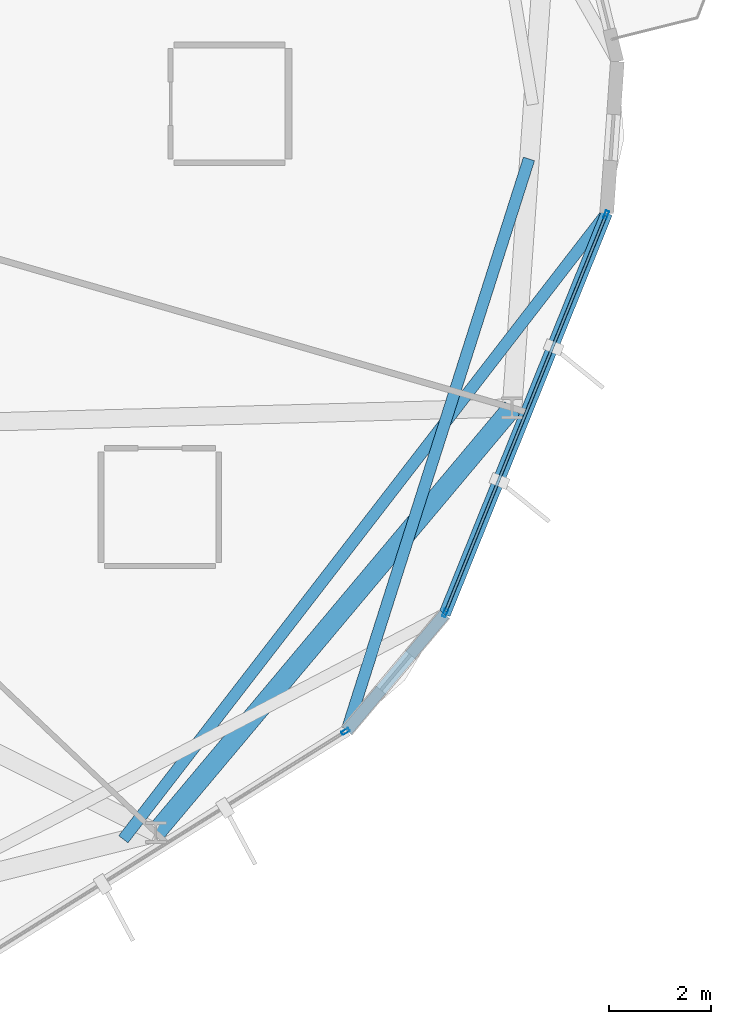
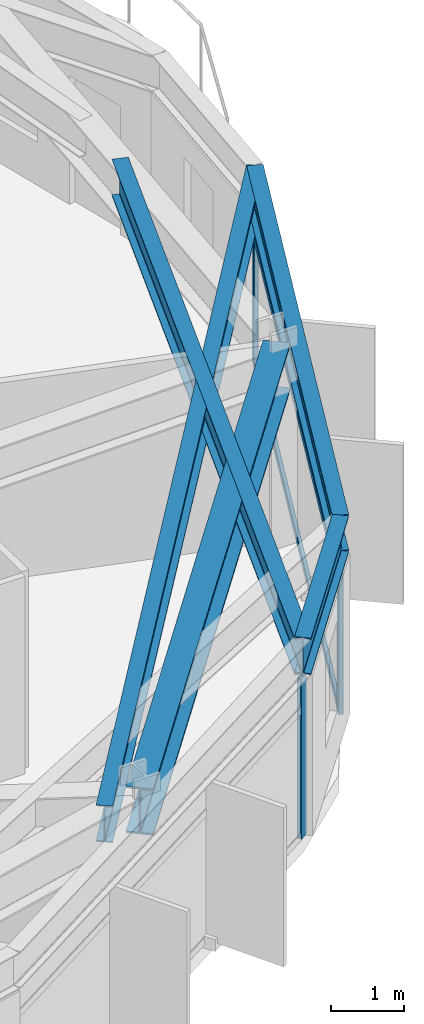
# One storey, part 9 of 22: 6 members, 5 beams, 2 elements without a shape of their own.
"""IFC4 building model written with IfcOpenShell, lengths in metres."""

import ifcopenshell
import ifcopenshell.guid

model = None  # the IFC model being written
_history = None  # IfcOwnerHistory: only IFC2X3 demands one
_inside = {}  # id of a spatial element -> (the spatial element, [elements in it])
_under = {}  # id of a project, library or spatial element -> (it, [spatial elements below it])
_declared = {}  # id of a project -> (the project, [libraries it declares])
_typed = {}  # id of a type object -> (the type object, [elements of that type])
_made_of = {}  # id of a material, layer set ... -> (it, [elements and type objects made of it])


def new_model(schema):
    """Start an empty IFC model of exactly this schema.

    Asked for "IFC4X3", IfcOpenShell would pick the latest addendum, in which some entities
    have other attributes; the version numbers below select the first issue.
    IFC2X3 requires an IfcOwnerHistory on every rooted entity: one is made here for all.
    """
    global model, _history
    if schema == "IFC4X3":
        model = ifcopenshell.file(schema_version=(4, 3, 0, 0))
    else:
        model = ifcopenshell.file(schema=schema)
    _inside.clear()
    _under.clear()
    _declared.clear()
    _typed.clear()
    _made_of.clear()
    _history = None
    if model.schema == "IFC2X3":
        org = make("IfcOrganization", Name="unknown")
        user = make(
            "IfcPersonAndOrganization",
            ThePerson=make("IfcPerson", FamilyName="unknown"),
            TheOrganization=org,
        )
        app = make(
            "IfcApplication",
            ApplicationDeveloper=org,
            Version="unknown",
            ApplicationFullName="unknown",
            ApplicationIdentifier="unknown",
        )
        _history = make(
            "IfcOwnerHistory",
            OwningUser=user,
            OwningApplication=app,
            ChangeAction="ADDED",
            CreationDate=0,
        )
    return model


def make(cls, **values):
    """One entity of the class cls with the attributes given. An attribute that is None is left unset."""
    return model.create_entity(
        cls, **{name: value for name, value in values.items() if value is not None}
    )


def rooted(cls, **values):
    """An entity with a GlobalId (a new one), such as an element, a storey or a relation."""
    return make(cls, GlobalId=ifcopenshell.guid.new(), OwnerHistory=_history, **values)


def si_unit(unit_type, name, prefix=None):
    """IfcSIUnit, for example si_unit("LENGTHUNIT", "METRE", prefix="MILLI")."""
    return make("IfcSIUnit", UnitType=unit_type, Prefix=prefix, Name=name)


def assignment(units):
    """IfcUnitAssignment: the units of a project."""
    return None if units is None else make("IfcUnitAssignment", Units=units)


def point(xyz):
    """IfcCartesianPoint."""
    return None if xyz is None else make("IfcCartesianPoint", Coordinates=xyz)


def direction(xyz):
    """IfcDirection."""
    return None if xyz is None else make("IfcDirection", DirectionRatios=xyz)


def frame(location, z_axis=None, x_axis=None):
    """IfcAxis2Placement3D, a coordinate frame: its origin and axes. An axis left out is left unset."""
    return make(
        "IfcAxis2Placement3D",
        Location=point(location),
        Axis=direction(z_axis),
        RefDirection=direction(x_axis),
    )


def frame_2d(location, x_axis=None):
    """IfcAxis2Placement2D, a coordinate frame in the plane: its origin and x axis."""
    return make(
        "IfcAxis2Placement2D", Location=point(location), RefDirection=direction(x_axis)
    )


def origin():
    """The frame at (0, 0, 0) with its axes left unset."""
    return frame((0.0, 0.0, 0.0))


def origin_2d():
    """The frame at (0, 0) in the plane with its x axis left unset."""
    return frame_2d((0.0, 0.0))


def place(relative_to, where):
    """IfcLocalPlacement: puts the frame where relative to a parent placement (None: the world)."""
    return make(
        "IfcLocalPlacement", PlacementRelTo=relative_to, RelativePlacement=where
    )


def context(
    kind, dimensions, precision=None, world=None, true_north=None, identifier=None
):
    """IfcGeometricRepresentationContext, for example the 3D "Model" context."""
    return make(
        "IfcGeometricRepresentationContext",
        ContextIdentifier=identifier,
        ContextType=kind,
        CoordinateSpaceDimension=dimensions,
        Precision=precision,
        WorldCoordinateSystem=world,
        TrueNorth=true_north,
    )


def subcontext(parent, identifier, kind, view, scale=None):
    """IfcGeometricRepresentationSubContext, for example "Body" below "Model"."""
    return make(
        "IfcGeometricRepresentationSubContext",
        ContextIdentifier=identifier,
        ContextType=kind,
        ParentContext=parent,
        TargetScale=scale,
        TargetView=view,
    )


def project(units=None, contexts=None):
    """IfcProject with its units and contexts."""
    return rooted(
        "IfcProject",
        Name="project",
        RepresentationContexts=contexts,
        UnitsInContext=assignment(units),
    )


def spatial(cls, under=None, at=None, **own):
    """A site, building, storey or space (cls), placed at a placement, below another one or the project."""
    s = rooted(cls, ObjectPlacement=at, **own)
    if under is not None:
        _under.setdefault(under.id(), (under, []))[1].append(s)
    return s


def profile(cls, at=None, kind="AREA", **sizes):
    """A parametric profile (cls). Its sizes go by their IFC names, for example OverallWidth=200.0."""
    return make(cls, ProfileType=kind, Position=at, **sizes)


def hollow_rectangle(**sizes):
    """IfcRectangleHollowProfileDef."""
    return profile("IfcRectangleHollowProfileDef", **sizes)


def i_section(**sizes):
    """IfcIShapeProfileDef."""
    return profile("IfcIShapeProfileDef", **sizes)


def extrude(swept, where, along, depth):
    """IfcExtrudedAreaSolid: the profile swept, set in the frame where, extruded along a direction by depth."""
    return make(
        "IfcExtrudedAreaSolid",
        SweptArea=swept,
        Position=where,
        ExtrudedDirection=direction(along),
        Depth=depth,
    )


def shape(context_of_items, identifier, shape_type, items):
    """IfcShapeRepresentation: the items that make up one representation, for example the "Body"."""
    return make(
        "IfcShapeRepresentation",
        ContextOfItems=context_of_items,
        RepresentationIdentifier=identifier,
        RepresentationType=shape_type,
        Items=items,
    )


def material(Name=None, Category=None):
    """IfcMaterial."""
    return make("IfcMaterial", Name=Name, Category=Category)


def layer(
    of_material, thickness, ventilated=None, Name=None, Category=None, Priority=None
):
    """IfcMaterialLayer: one layer of a wall or slab, of a material (None: an air gap)."""
    return make(
        "IfcMaterialLayer",
        Material=of_material,
        LayerThickness=thickness,
        IsVentilated=ventilated,
        Name=Name,
        Category=Category,
        Priority=Priority,
    )


def layer_set(layers, Name=None):
    """IfcMaterialLayerSet."""
    return make("IfcMaterialLayerSet", MaterialLayers=layers, LayerSetName=Name)


def material_profile(
    of_material, cross_section, Name=None, Category=None, Priority=None
):
    """IfcMaterialProfile: a cross section and its material."""
    return make(
        "IfcMaterialProfile",
        Name=Name,
        Material=of_material,
        Profile=cross_section,
        Priority=Priority,
        Category=Category,
    )


def profile_set(profiles, Name=None, composite=None):
    """IfcMaterialProfileSet."""
    return make(
        "IfcMaterialProfileSet",
        Name=Name,
        MaterialProfiles=profiles,
        CompositeProfile=composite,
    )


def made_of(thing, what):
    """Note that an element or type object is made of a material, layer set ...; save() writes the relation."""
    if what is not None:
        _made_of.setdefault(what.id(), (what, []))[1].append(thing)
    return thing


def type_object(cls, material=None, **own):
    """A type object (cls), such as IfcWallType, which elements share."""
    return made_of(rooted(cls, **own), material)


def element(
    cls,
    number,
    at=None,
    inside=None,
    cuts=None,
    type_object=None,
    material=None,
    context=None,
    identifier="Body",
    shape_type=None,
    held_by="IfcProductDefinitionShape",
    body=None,
    shapes=None,
    **own,
):
    """One element of the class cls, such as IfcWall. Its Tag is "e" and its number.

    at: its placement. inside: the storey or other place that contains it. cuts: it is an
    opening in that element (IfcRelVoidsElement). A single representation is given by context,
    identifier, shape_type and body (its items); several are given by shapes. held_by: the class
    of the entity that holds the representations. save() writes the other relations.
    """
    e = rooted(cls, Tag="e%d" % number, ObjectPlacement=at, **own)
    if body is not None:
        shapes = [shape(context, identifier, shape_type, body)]
    if shapes is not None:
        e.Representation = make(held_by, Representations=shapes)
    if inside is not None:
        _inside.setdefault(inside.id(), (inside, []))[1].append(e)
    if cuts is not None:
        rooted(
            "IfcRelVoidsElement", RelatingBuildingElement=cuts, RelatedOpeningElement=e
        )
    if type_object is not None:
        _typed.setdefault(type_object.id(), (type_object, []))[1].append(e)
    return made_of(e, material)


def aggregate(whole, parts):
    """IfcRelAggregates: a whole, such as a stair, and the parts it consists of."""
    return rooted("IfcRelAggregates", RelatingObject=whole, RelatedObjects=parts)


def save(model, path):
    """Write the relations noted so far, then the file.

    IfcRelAggregates (storeys below a building ...), IfcRelContainedInSpatialStructure (elements
    in a storey), IfcRelDefinesByType, IfcRelAssociatesMaterial and IfcRelDeclares: one each for
    every whole, place, type object, material and project.
    """
    for whole, parts in _under.values():
        aggregate(whole, parts)
    for where, things in _inside.values():
        rooted(
            "IfcRelContainedInSpatialStructure",
            RelatedElements=things,
            RelatingStructure=where,
        )
    for kind, things in _typed.values():
        rooted("IfcRelDefinesByType", RelatedObjects=things, RelatingType=kind)
    for what, things in _made_of.values():
        rooted("IfcRelAssociatesMaterial", RelatedObjects=things, RelatingMaterial=what)
    for by, libraries in _declared.values():
        rooted("IfcRelDeclares", RelatingContext=by, RelatedDefinitions=libraries)
    model.write(path)


model = new_model("IFC4")

# Units and contexts
model_context = context("Model", 3, precision=1e-05, world=origin(), true_north=direction((0.0, 1.0)))
body_context = subcontext(model_context, "Body", "Model", "MODEL_VIEW")
ifc_project = project(units=[si_unit("LENGTHUNIT", "METRE"), si_unit("AREAUNIT", "SQUARE_METRE"), si_unit("VOLUMEUNIT", "CUBIC_METRE"), si_unit("PLANEANGLEUNIT", "RADIAN"), si_unit("MASSUNIT", "GRAM", prefix="KILO")], contexts=[model_context])

# Site, building, storey
site_placement = place(None, origin())
site = spatial("IfcSite", under=ifc_project, at=site_placement, CompositionType="ELEMENT")
building_placement = place(site_placement, origin())
building = spatial("IfcBuilding", under=site, at=building_placement, Name="Soratama Intermodal Tower", CompositionType="ELEMENT")
storey_placement = place(building_placement, frame((0.0, 0.0, 157.0)))
storey = spatial("IfcBuildingStorey", under=building, at=storey_placement, Name="L38", CompositionType="ELEMENT", Elevation=157.0)

# Beams
ifc_material_1 = material(Name="Structural steel ASTM A992 Grade 50", Category="steel")
ifc_material_profile_1 = material_profile(ifc_material_1, i_section(OverallWidth=0.382080078125, OverallDepth=0.779052734375, WebThickness=0.01806640625, FlangeThickness=0.030029296875, FilletRadius=0.01806640625, at=origin_2d()), Name="W30X191")
ifc_profile_set_1 = profile_set([ifc_material_profile_1], Name="Structural steel ASTM A992 Grade 50")
beam_type_1 = type_object("IfcBeamType", Name="BM-RING-W30X191", PredefinedType="BEAM", material=ifc_profile_set_1)
beam_1_placement = place(storey_placement, frame((54.27392578125, 10.158935546875, 2.910400390625), z_axis=(0.642791781199, 0.766040942785, 0.0), x_axis=(-0.766040942785, 0.642791781199, 0.0)))
element("IfcBeam", 1, at=beam_1_placement, inside=storey, type_object=beam_type_1, Name="BM-L38-RING-09", PredefinedType="BEAM", context=body_context, shape_type="SweptSolid", body=[
    extrude(i_section(OverallWidth=0.382080078125, OverallDepth=0.779052734375, WebThickness=0.01806640625, FlangeThickness=0.030029296875, FilletRadius=0.01806640625, at=origin_2d()), origin(), (0.0, 0.0, 1.0), 10.815673828125),
])
ifc_material_2 = material(Name="Structural steel ASTM A992 Grade 50", Category="steel")
ifc_material_profile_2 = material_profile(ifc_material_2, i_section(OverallWidth=0.22900390625, OverallDepth=0.612060546875, WebThickness=0.011962890625, FlangeThickness=0.01953125, FilletRadius=0.012939453125, at=origin_2d()), Name="W24X84")
ifc_profile_set_2 = profile_set([ifc_material_profile_2], Name="Structural steel ASTM A992 Grade 50")
beam_type_2 = type_object("IfcBeamType", Name="BM-SPN-W24X84", PredefinedType="SPANDREL", material=ifc_profile_set_2)
beam_2_placement = place(storey_placement, frame((58.0009765625, 12.14599609375, 2.993896484375), z_axis=(0.643093657741, 0.765787534093, 0.0), x_axis=(-0.765787534093, 0.643093657741, 0.0)))
element("IfcBeam", 2, at=beam_2_placement, inside=storey, type_object=beam_type_2, Name="BS-L38-CRN08", PredefinedType="SPANDREL", context=body_context, shape_type="SweptSolid", body=[
    extrude(i_section(OverallWidth=0.22900390625, OverallDepth=0.612060546875, WebThickness=0.011962890625, FlangeThickness=0.01953125, FilletRadius=0.012939453125, at=origin_2d()), origin(), (0.0, 0.0, 1.0), 2.966796875),
])
beam_3_placement = place(storey_placement, frame((59.908935546875, 14.41796875, 2.993896484375), z_axis=(0.374869050099, 0.927077771969, 0.0), x_axis=(-0.927077771969, 0.374869050099, 0.0)))
element("IfcBeam", 3, at=beam_3_placement, inside=storey, type_object=beam_type_2, Name="BS-L38-F09", PredefinedType="SPANDREL", context=body_context, shape_type="SweptSolid", body=[
    extrude(i_section(OverallWidth=0.22900390625, OverallDepth=0.612060546875, WebThickness=0.011962890625, FlangeThickness=0.01953125, FilletRadius=0.012939453125, at=origin_2d()), origin(), (0.0, 0.0, 1.0), 8.4404296875),
])
ifc_material_3 = material(Name="Structural steel ASTM A992 Grade 50", Category="steel")
ifc_material_profile_3 = material_profile(ifc_material_3, i_section(OverallWidth=0.22900390625, OverallDepth=0.612060546875, WebThickness=0.011962890625, FlangeThickness=0.01953125, FilletRadius=0.012939453125, at=origin_2d()), Name="W24X84")
ifc_profile_set_3 = profile_set([ifc_material_profile_3], Name="Structural steel ASTM A992 Grade 50")
beam_type_3 = type_object("IfcBeamType", Name="BM-TIE-W24X84", PredefinedType="BEAM", material=ifc_profile_set_3)
beam_4_placement = place(storey_placement, frame((61.555908203125, 23.303955078125, 2.993896484375), z_axis=(-0.303565911201, -0.952810441566, 0.0), x_axis=(0.952810441566, -0.303565911201, 0.0)))
element("IfcBeam", 4, at=beam_4_placement, inside=storey, type_object=beam_type_3, Name="BM-L38-TIE1-08", PredefinedType="BEAM", context=body_context, shape_type="SweptSolid", body=[
    extrude(i_section(OverallWidth=0.22900390625, OverallDepth=0.612060546875, WebThickness=0.011962890625, FlangeThickness=0.01953125, FilletRadius=0.012939453125, at=origin_2d()), origin(), (0.0, 0.0, 1.0), 11.710693359375),
])
beam_5_placement = place(storey_placement, frame((53.639892578125, 10.027099609375, 2.993896484375), z_axis=(0.611188154245, 0.7914853379, 0.0), x_axis=(-0.7914853379, 0.611188154245, 0.0)))
element("IfcBeam", 5, at=beam_5_placement, inside=storey, type_object=beam_type_3, Name="BM-L38-TIE1-09", PredefinedType="BEAM", context=body_context, shape_type="SweptSolid", body=[
    extrude(i_section(OverallWidth=0.22900390625, OverallDepth=0.612060546875, WebThickness=0.011962890625, FlangeThickness=0.01953125, FilletRadius=0.012939453125, at=origin_2d()), origin(), (0.0, 0.0, 1.0), 15.43408203125),
])

# Curtain wall, member
ifc_material_4 = material(Name="Double-glazed aluminium curtain wall", Category="aluminium")
ifc_layer = layer(ifc_material_4, 0.159912109375)
ifc_layer_set = layer_set([ifc_layer], Name="Double-glazed aluminium curtain wall")
curtain_wall_type = type_object("IfcCurtainWallType", Name="CW-SYS-4", PredefinedType="NOTDEFINED", material=ifc_layer_set)
curtain_wall_1_placement = place(storey_placement, origin())
curtain_wall_1 = element("IfcCurtainWall", 6, at=curtain_wall_1_placement, inside=storey, type_object=curtain_wall_type, Name="L38 Faceted Curtain Wall F08", PredefinedType="NOTDEFINED")
ifc_material_5 = material(Name="Anodised aluminium AA 6063-T6", Category="aluminium")
ifc_material_profile_4 = material_profile(ifc_material_5, hollow_rectangle(XDim=0.070068359375, YDim=0.159912109375, WallThickness=0.0048828125, InnerFilletRadius=0.0048828125, OuterFilletRadius=0.010009765625, at=origin_2d()), Name="CWM160X70X5")
ifc_profile_set_4 = profile_set([ifc_material_profile_4], Name="Anodised aluminium AA 6063-T6")
member_type_1 = type_object("IfcMemberType", Name="MT-CWM-4", PredefinedType="MULLION", material=ifc_profile_set_4)
member_1_placement = place(storey_placement, frame((57.975341796875, 12.130615234375, 0.0), z_axis=(0.0, 0.0, 1.0), x_axis=(-0.529630411318, 0.848228523104, 0.0)))
member_1 = element("IfcMember", 7, at=member_1_placement, type_object=member_type_1, Name="CW-4 mullion 2", PredefinedType="MULLION", context=body_context, shape_type="SweptSolid", body=[
    extrude(hollow_rectangle(XDim=0.070068359375, YDim=0.159912109375, WallThickness=0.0048828125, InnerFilletRadius=0.0048828125, OuterFilletRadius=0.010009765625, at=origin_2d()), origin(), (0.0, 0.0, 1.0), 2.678955078125),
])
aggregate(curtain_wall_1, [member_1])

# Curtain wall, members
curtain_wall_2_placement = place(storey_placement, origin())
curtain_wall_2 = element("IfcCurtainWall", 8, at=curtain_wall_2_placement, inside=storey, type_object=curtain_wall_type, Name="L38 Faceted Curtain Wall F09", PredefinedType="NOTDEFINED")
member_2_placement = place(storey_placement, frame((59.919921875, 14.446044921875, 0.0), z_axis=(0.0, 0.0, 1.0), x_axis=(-0.927055574425, 0.374923941524, 0.0)))
member_2 = element("IfcMember", 9, at=member_2_placement, type_object=member_type_1, Name="CW-4 mullion 1", PredefinedType="MULLION", context=body_context, shape_type="SweptSolid", body=[
    extrude(hollow_rectangle(XDim=0.070068359375, YDim=0.159912109375, WallThickness=0.0048828125, InnerFilletRadius=0.0048828125, OuterFilletRadius=0.010009765625, at=origin_2d()), origin(), (0.0, 0.0, 1.0), 2.678955078125),
])
member_3_placement = place(storey_placement, frame((63.061767578125, 22.215087890625, 0.0), z_axis=(0.0, 0.0, 1.0), x_axis=(-0.927055574425, 0.374923941524, 0.0)))
member_3 = element("IfcMember", 10, at=member_3_placement, type_object=member_type_1, Name="CW-4 mullion 2", PredefinedType="MULLION", context=body_context, shape_type="SweptSolid", body=[
    extrude(hollow_rectangle(XDim=0.070068359375, YDim=0.159912109375, WallThickness=0.0048828125, InnerFilletRadius=0.0048828125, OuterFilletRadius=0.010009765625, at=origin_2d()), origin(), (0.0, 0.0, 1.0), 2.678955078125),
])
ifc_material_6 = material(Name="Anodised aluminium AA 6063-T6", Category="aluminium")
ifc_material_profile_5 = material_profile(ifc_material_6, hollow_rectangle(XDim=0.06005859375, YDim=0.1298828125, WallThickness=0.0048828125, InnerFilletRadius=0.0048828125, OuterFilletRadius=0.010009765625, at=origin_2d()), Name="CWT130X60X5")
ifc_profile_set_5 = profile_set([ifc_material_profile_5], Name="Anodised aluminium AA 6063-T6")
member_type_2 = type_object("IfcMemberType", Name="TT-CWT-2", PredefinedType="USERDEFINED", material=ifc_profile_set_5)
member_4_placement = place(storey_placement, frame((59.93115234375, 14.473876953125, 0.030029296875), z_axis=(0.374914204803, 0.927059512134, 0.0), x_axis=(-0.927059512134, 0.374914204803, 0.0)))
member_4 = element("IfcMember", 11, at=member_4_placement, type_object=member_type_2, Name="CW-4 transom 1.1", ObjectType="TRANSOM", PredefinedType="USERDEFINED", context=body_context, shape_type="SweptSolid", body=[
    extrude(hollow_rectangle(XDim=0.06005859375, YDim=0.1298828125, WallThickness=0.0048828125, InnerFilletRadius=0.0048828125, OuterFilletRadius=0.010009765625, at=origin_2d()), origin(), (0.0, 0.0, 1.0), 8.3203125),
])
member_5_placement = place(storey_placement, frame((59.93115234375, 14.473876953125, 2.14990234375), z_axis=(0.374914204803, 0.927059512134, 0.0), x_axis=(-0.927059512134, 0.374914204803, 0.0)))
member_5 = element("IfcMember", 12, at=member_5_placement, type_object=member_type_2, Name="CW-4 transom 1.2", ObjectType="TRANSOM", PredefinedType="USERDEFINED", context=body_context, shape_type="SweptSolid", body=[
    extrude(hollow_rectangle(XDim=0.06005859375, YDim=0.1298828125, WallThickness=0.0048828125, InnerFilletRadius=0.0048828125, OuterFilletRadius=0.010009765625, at=origin_2d()), origin(), (0.0, 0.0, 1.0), 8.3203125),
])
member_6_placement = place(storey_placement, frame((59.93115234375, 14.473876953125, 2.64892578125), z_axis=(0.374914204803, 0.927059512134, 0.0), x_axis=(-0.927059512134, 0.374914204803, 0.0)))
member_6 = element("IfcMember", 13, at=member_6_placement, type_object=member_type_2, Name="CW-4 transom 1.3", ObjectType="TRANSOM", PredefinedType="USERDEFINED", context=body_context, shape_type="SweptSolid", body=[
    extrude(hollow_rectangle(XDim=0.06005859375, YDim=0.1298828125, WallThickness=0.0048828125, InnerFilletRadius=0.0048828125, OuterFilletRadius=0.010009765625, at=origin_2d()), origin(), (0.0, 0.0, 1.0), 8.3203125),
])
aggregate(curtain_wall_2, [member_2, member_3, member_4, member_5, member_6])

save(model, "model.ifc")
